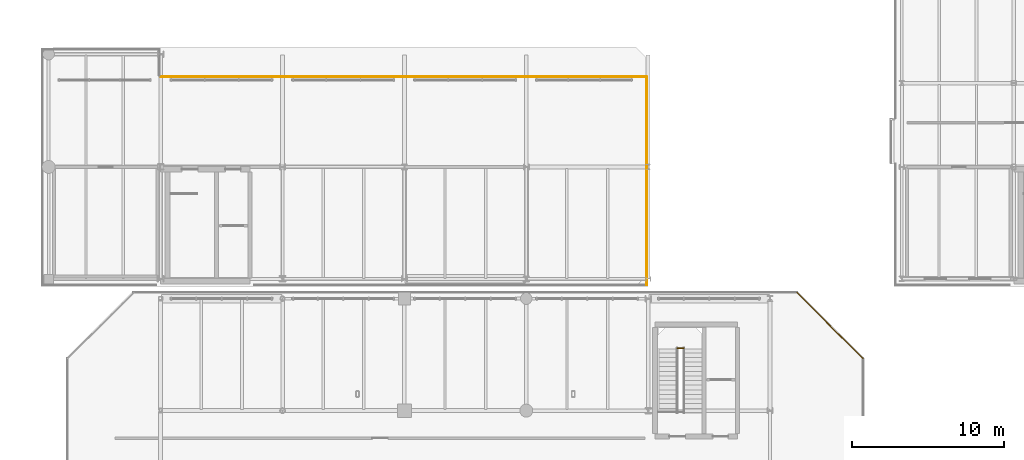
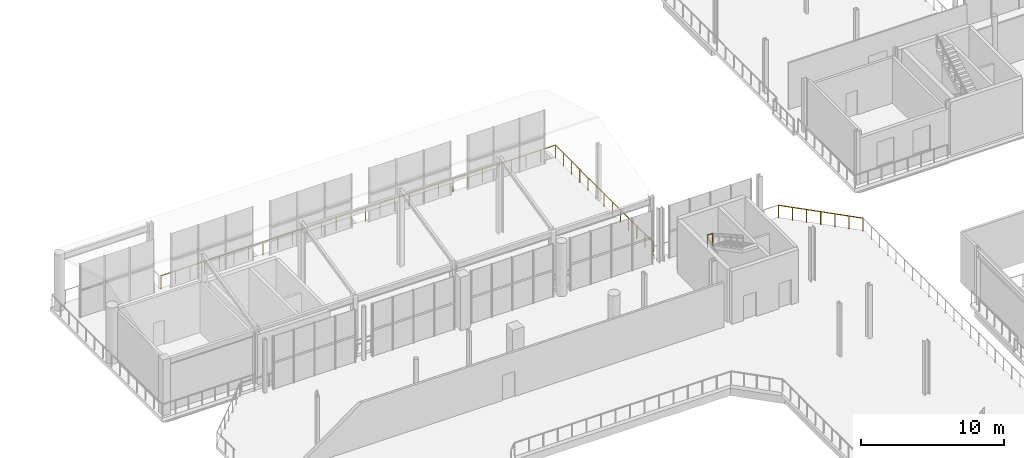
# One storey, part 66 of 70: 4 railings.
"""IFC4 building model written with IfcOpenShell, lengths in metres."""

import ifcopenshell
import ifcopenshell.guid

model = None  # the IFC model being written
_history = None  # IfcOwnerHistory: only IFC2X3 demands one
_inside = {}  # id of a spatial element -> (the spatial element, [elements in it])
_under = {}  # id of a project, library or spatial element -> (it, [spatial elements below it])
_declared = {}  # id of a project -> (the project, [libraries it declares])
_typed = {}  # id of a type object -> (the type object, [elements of that type])
_made_of = {}  # id of a material, layer set ... -> (it, [elements and type objects made of it])


def new_model(schema):
    """Start an empty IFC model of exactly this schema.

    Asked for "IFC4X3", IfcOpenShell would pick the latest addendum, in which some entities
    have other attributes; the version numbers below select the first issue.
    IFC2X3 requires an IfcOwnerHistory on every rooted entity: one is made here for all.
    """
    global model, _history
    if schema == "IFC4X3":
        model = ifcopenshell.file(schema_version=(4, 3, 0, 0))
    else:
        model = ifcopenshell.file(schema=schema)
    _inside.clear()
    _under.clear()
    _declared.clear()
    _typed.clear()
    _made_of.clear()
    _history = None
    if model.schema == "IFC2X3":
        org = make("IfcOrganization", Name="unknown")
        user = make(
            "IfcPersonAndOrganization",
            ThePerson=make("IfcPerson", FamilyName="unknown"),
            TheOrganization=org,
        )
        app = make(
            "IfcApplication",
            ApplicationDeveloper=org,
            Version="unknown",
            ApplicationFullName="unknown",
            ApplicationIdentifier="unknown",
        )
        _history = make(
            "IfcOwnerHistory",
            OwningUser=user,
            OwningApplication=app,
            ChangeAction="ADDED",
            CreationDate=0,
        )
    return model


def make(cls, **values):
    """One entity of the class cls with the attributes given. An attribute that is None is left unset."""
    return model.create_entity(
        cls, **{name: value for name, value in values.items() if value is not None}
    )


def rooted(cls, **values):
    """An entity with a GlobalId (a new one), such as an element, a storey or a relation."""
    return make(cls, GlobalId=ifcopenshell.guid.new(), OwnerHistory=_history, **values)


def si_unit(unit_type, name, prefix=None):
    """IfcSIUnit, for example si_unit("LENGTHUNIT", "METRE", prefix="MILLI")."""
    return make("IfcSIUnit", UnitType=unit_type, Prefix=prefix, Name=name)


def assignment(units):
    """IfcUnitAssignment: the units of a project."""
    return None if units is None else make("IfcUnitAssignment", Units=units)


def point(xyz):
    """IfcCartesianPoint."""
    return None if xyz is None else make("IfcCartesianPoint", Coordinates=xyz)


def direction(xyz):
    """IfcDirection."""
    return None if xyz is None else make("IfcDirection", DirectionRatios=xyz)


def frame(location, z_axis=None, x_axis=None):
    """IfcAxis2Placement3D, a coordinate frame: its origin and axes. An axis left out is left unset."""
    return make(
        "IfcAxis2Placement3D",
        Location=point(location),
        Axis=direction(z_axis),
        RefDirection=direction(x_axis),
    )


def frame_2d(location, x_axis=None):
    """IfcAxis2Placement2D, a coordinate frame in the plane: its origin and x axis."""
    return make(
        "IfcAxis2Placement2D", Location=point(location), RefDirection=direction(x_axis)
    )


def origin():
    """The frame at (0, 0, 0) with its axes left unset."""
    return frame((0.0, 0.0, 0.0))


def origin_2d():
    """The frame at (0, 0) in the plane with its x axis left unset."""
    return frame_2d((0.0, 0.0))


def place(relative_to, where):
    """IfcLocalPlacement: puts the frame where relative to a parent placement (None: the world)."""
    return make(
        "IfcLocalPlacement", PlacementRelTo=relative_to, RelativePlacement=where
    )


def context(
    kind, dimensions, precision=None, world=None, true_north=None, identifier=None
):
    """IfcGeometricRepresentationContext, for example the 3D "Model" context."""
    return make(
        "IfcGeometricRepresentationContext",
        ContextIdentifier=identifier,
        ContextType=kind,
        CoordinateSpaceDimension=dimensions,
        Precision=precision,
        WorldCoordinateSystem=world,
        TrueNorth=true_north,
    )


def subcontext(parent, identifier, kind, view, scale=None):
    """IfcGeometricRepresentationSubContext, for example "Body" below "Model"."""
    return make(
        "IfcGeometricRepresentationSubContext",
        ContextIdentifier=identifier,
        ContextType=kind,
        ParentContext=parent,
        TargetScale=scale,
        TargetView=view,
    )


def project(units=None, contexts=None):
    """IfcProject with its units and contexts."""
    return rooted(
        "IfcProject",
        Name="project",
        RepresentationContexts=contexts,
        UnitsInContext=assignment(units),
    )


def spatial(cls, under=None, at=None, **own):
    """A site, building, storey or space (cls), placed at a placement, below another one or the project."""
    s = rooted(cls, ObjectPlacement=at, **own)
    if under is not None:
        _under.setdefault(under.id(), (under, []))[1].append(s)
    return s


def profile(cls, at=None, kind="AREA", **sizes):
    """A parametric profile (cls). Its sizes go by their IFC names, for example OverallWidth=200.0."""
    return make(cls, ProfileType=kind, Position=at, **sizes)


def circle(**sizes):
    """IfcCircleProfileDef."""
    return profile("IfcCircleProfileDef", **sizes)


def extrude(swept, where, along, depth):
    """IfcExtrudedAreaSolid: the profile swept, set in the frame where, extruded along a direction by depth."""
    return make(
        "IfcExtrudedAreaSolid",
        SweptArea=swept,
        Position=where,
        ExtrudedDirection=direction(along),
        Depth=depth,
    )


def shape(context_of_items, identifier, shape_type, items):
    """IfcShapeRepresentation: the items that make up one representation, for example the "Body"."""
    return make(
        "IfcShapeRepresentation",
        ContextOfItems=context_of_items,
        RepresentationIdentifier=identifier,
        RepresentationType=shape_type,
        Items=items,
    )


def material(Name=None, Category=None):
    """IfcMaterial."""
    return make("IfcMaterial", Name=Name, Category=Category)


def made_of(thing, what):
    """Note that an element or type object is made of a material, layer set ...; save() writes the relation."""
    if what is not None:
        _made_of.setdefault(what.id(), (what, []))[1].append(thing)
    return thing


def type_object(cls, material=None, **own):
    """A type object (cls), such as IfcWallType, which elements share."""
    return made_of(rooted(cls, **own), material)


def element(
    cls,
    number,
    at=None,
    inside=None,
    cuts=None,
    type_object=None,
    material=None,
    context=None,
    identifier="Body",
    shape_type=None,
    held_by="IfcProductDefinitionShape",
    body=None,
    shapes=None,
    **own,
):
    """One element of the class cls, such as IfcWall. Its Tag is "e" and its number.

    at: its placement. inside: the storey or other place that contains it. cuts: it is an
    opening in that element (IfcRelVoidsElement). A single representation is given by context,
    identifier, shape_type and body (its items); several are given by shapes. held_by: the class
    of the entity that holds the representations. save() writes the other relations.
    """
    e = rooted(cls, Tag="e%d" % number, ObjectPlacement=at, **own)
    if body is not None:
        shapes = [shape(context, identifier, shape_type, body)]
    if shapes is not None:
        e.Representation = make(held_by, Representations=shapes)
    if inside is not None:
        _inside.setdefault(inside.id(), (inside, []))[1].append(e)
    if cuts is not None:
        rooted(
            "IfcRelVoidsElement", RelatingBuildingElement=cuts, RelatedOpeningElement=e
        )
    if type_object is not None:
        _typed.setdefault(type_object.id(), (type_object, []))[1].append(e)
    return made_of(e, material)


def aggregate(whole, parts):
    """IfcRelAggregates: a whole, such as a stair, and the parts it consists of."""
    return rooted("IfcRelAggregates", RelatingObject=whole, RelatedObjects=parts)


def save(model, path):
    """Write the relations noted so far, then the file.

    IfcRelAggregates (storeys below a building ...), IfcRelContainedInSpatialStructure (elements
    in a storey), IfcRelDefinesByType, IfcRelAssociatesMaterial and IfcRelDeclares: one each for
    every whole, place, type object, material and project.
    """
    for whole, parts in _under.values():
        aggregate(whole, parts)
    for where, things in _inside.values():
        rooted(
            "IfcRelContainedInSpatialStructure",
            RelatedElements=things,
            RelatingStructure=where,
        )
    for kind, things in _typed.values():
        rooted("IfcRelDefinesByType", RelatedObjects=things, RelatingType=kind)
    for what, things in _made_of.values():
        rooted("IfcRelAssociatesMaterial", RelatedObjects=things, RelatingMaterial=what)
    for by, libraries in _declared.values():
        rooted("IfcRelDeclares", RelatingContext=by, RelatedDefinitions=libraries)
    model.write(path)


model = new_model("IFC4")

# Units and contexts
model_context = context("Model", 3, precision=1e-05, world=origin(), true_north=direction((0.0, 1.0)))
body_context = subcontext(model_context, "Body", "Model", "MODEL_VIEW")
ifc_project = project(units=[si_unit("LENGTHUNIT", "METRE"), si_unit("AREAUNIT", "SQUARE_METRE"), si_unit("VOLUMEUNIT", "CUBIC_METRE"), si_unit("PLANEANGLEUNIT", "RADIAN"), si_unit("MASSUNIT", "GRAM", prefix="KILO")], contexts=[model_context])

# Site, building, storey
site_placement = place(None, origin())
site = spatial("IfcSite", under=ifc_project, at=site_placement, CompositionType="ELEMENT")
building_placement = place(site_placement, origin())
building = spatial("IfcBuilding", under=site, at=building_placement, Name="Brisemont Oceanarium", CompositionType="ELEMENT")
storey_placement = place(building_placement, frame((0.0, 0.0, 10.199951171875)))
storey = spatial("IfcBuildingStorey", under=building, at=storey_placement, Name="L02", CompositionType="ELEMENT", Elevation=10.199951171875)

# Railings
ifc_material = material(Name="Duplex Stainless Steel EN 1.4462", Category="steel")
railing_type = type_object("IfcRailingType", Name="RLG-GUARD-1120", PredefinedType="GUARDRAIL", material=ifc_material)
railing_1_placement = place(storey_placement, frame((97.909912109375, 76.10009765625, 2.400146484375)))
element("IfcRailing", 1, at=railing_1_placement, inside=storey, type_object=railing_type, Name="ST-02 L02 landing slot guard", PredefinedType="GUARDRAIL", context=body_context, shape_type="SweptSolid", body=[
    extrude(circle(Radius=0.02392578125, at=origin_2d()), frame((0.0, 0.0, 1.09619140625), z_axis=(1.0, 0.0, 0.0), x_axis=(0.0, 1.0, 0.0)), (0.0, 0.0, 1.0), 0.440185546875),
    extrude(circle(Radius=0.02099609375, at=origin_2d()), origin(), (0.0, 0.0, 1.0), 1.072021484375),
    extrude(circle(Radius=0.02099609375, at=origin_2d()), frame((0.440185546875, 0.0, 0.0)), (0.0, 0.0, 1.0), 1.072021484375),
])
railing_2_placement = place(storey_placement, frame((105.7626953125, 79.760009765625, 0.0)))
element("IfcRailing", 2, at=railing_2_placement, inside=storey, type_object=railing_type, Name="L02 slab perimeter safety guard 139", PredefinedType="GUARDRAIL", context=body_context, shape_type="SweptSolid", body=[
    extrude(circle(Radius=0.02392578125, at=origin_2d()), frame((0.0, 0.0, 1.09619140625), z_axis=(0.707106781187, -0.707106781187, 0.0), x_axis=(0.707106781187, 0.707106781187, 0.0)), (0.0, 0.0, 1.0), 6.148193359375),
    extrude(circle(Radius=0.02099609375, at=origin_2d()), origin(), (0.0, 0.0, 1.0), 1.072021484375),
    extrude(circle(Radius=0.02099609375, at=origin_2d()), frame((0.724609375, -0.724609375, 0.0)), (0.0, 0.0, 1.0), 1.072021484375),
    extrude(circle(Radius=0.02099609375, at=origin_2d()), frame((1.44921875, -1.44921875, 0.0)), (0.0, 0.0, 1.0), 1.072021484375),
    extrude(circle(Radius=0.02099609375, at=origin_2d()), frame((2.173828125, -2.173828125, 0.0)), (0.0, 0.0, 1.0), 1.072021484375),
    extrude(circle(Radius=0.02099609375, at=origin_2d()), frame((2.898193359375, -2.898193359375, 0.0)), (0.0, 0.0, 1.0), 1.072021484375),
    extrude(circle(Radius=0.02099609375, at=origin_2d()), frame((3.622802734375, -3.622802734375, 0.0)), (0.0, 0.0, 1.0), 1.072021484375),
    extrude(circle(Radius=0.02099609375, at=origin_2d()), frame((4.347412109375, -4.347412109375, 0.0)), (0.0, 0.0, 1.0), 1.072021484375),
])
railing_3_placement = place(storey_placement, frame((64.015625, 93.91015625, 0.0)))
element("IfcRailing", 3, at=railing_3_placement, inside=storey, type_object=railing_type, Name="L02 slab perimeter safety guard 156", PredefinedType="GUARDRAIL", context=body_context, shape_type="SweptSolid", body=[
    extrude(circle(Radius=0.02392578125, at=origin_2d()), frame((0.0, 0.0, 1.09619140625), z_axis=(0.999999999971, -7.654799e-06, 0.0), x_axis=(7.654799e-06, 0.999999999971, 0.0)), (0.0, 0.0, 1.0), 31.893798828125),
    extrude(circle(Radius=0.02099609375, at=origin_2d()), origin(), (0.0, 0.0, 1.0), 1.072021484375),
    extrude(circle(Radius=0.02099609375, at=origin_2d()), frame((1.18115234375, 0.0, 0.0)), (0.0, 0.0, 1.0), 1.072021484375),
    extrude(circle(Radius=0.02099609375, at=origin_2d()), frame((2.362548828125, 0.0, 0.0)), (0.0, 0.0, 1.0), 1.072021484375),
    extrude(circle(Radius=0.02099609375, at=origin_2d()), frame((3.543701171875, 0.0, 0.0)), (0.0, 0.0, 1.0), 1.072021484375),
    extrude(circle(Radius=0.02099609375, at=origin_2d()), frame((4.72509765625, 0.0, 0.0)), (0.0, 0.0, 1.0), 1.072021484375),
    extrude(circle(Radius=0.02099609375, at=origin_2d()), frame((5.90625, 0.0, 0.0)), (0.0, 0.0, 1.0), 1.072021484375),
    extrude(circle(Radius=0.02099609375, at=origin_2d()), frame((7.08740234375, 0.0, 0.0)), (0.0, 0.0, 1.0), 1.072021484375),
    extrude(circle(Radius=0.02099609375, at=origin_2d()), frame((8.268798828125, 0.0, 0.0)), (0.0, 0.0, 1.0), 1.072021484375),
    extrude(circle(Radius=0.02099609375, at=origin_2d()), frame((9.449951171875, 0.0, 0.0)), (0.0, 0.0, 1.0), 1.072021484375),
    extrude(circle(Radius=0.02099609375, at=origin_2d()), frame((10.63134765625, 0.0, 0.0)), (0.0, 0.0, 1.0), 1.072021484375),
    extrude(circle(Radius=0.02099609375, at=origin_2d()), frame((11.8125, 0.0, 0.0)), (0.0, 0.0, 1.0), 1.072021484375),
    extrude(circle(Radius=0.02099609375, at=origin_2d()), frame((12.99365234375, 0.0, 0.0)), (0.0, 0.0, 1.0), 1.072021484375),
    extrude(circle(Radius=0.02099609375, at=origin_2d()), frame((14.175048828125, 0.0, 0.0)), (0.0, 0.0, 1.0), 1.072021484375),
    extrude(circle(Radius=0.02099609375, at=origin_2d()), frame((15.356201171875, 0.0, 0.0)), (0.0, 0.0, 1.0), 1.072021484375),
    extrude(circle(Radius=0.02099609375, at=origin_2d()), frame((16.53759765625, -0.000244140625, 0.0)), (0.0, 0.0, 1.0), 1.072021484375),
    extrude(circle(Radius=0.02099609375, at=origin_2d()), frame((17.71875, -0.000244140625, 0.0)), (0.0, 0.0, 1.0), 1.072021484375),
    extrude(circle(Radius=0.02099609375, at=origin_2d()), frame((18.900146484375, -0.000244140625, 0.0)), (0.0, 0.0, 1.0), 1.072021484375),
    extrude(circle(Radius=0.02099609375, at=origin_2d()), frame((20.081298828125, -0.000244140625, 0.0)), (0.0, 0.0, 1.0), 1.072021484375),
    extrude(circle(Radius=0.02099609375, at=origin_2d()), frame((21.262451171875, -0.000244140625, 0.0)), (0.0, 0.0, 1.0), 1.072021484375),
    extrude(circle(Radius=0.02099609375, at=origin_2d()), frame((22.44384765625, -0.000244140625, 0.0)), (0.0, 0.0, 1.0), 1.072021484375),
    extrude(circle(Radius=0.02099609375, at=origin_2d()), frame((23.625, -0.000244140625, 0.0)), (0.0, 0.0, 1.0), 1.072021484375),
    extrude(circle(Radius=0.02099609375, at=origin_2d()), frame((24.806396484375, -0.000244140625, 0.0)), (0.0, 0.0, 1.0), 1.072021484375),
    extrude(circle(Radius=0.02099609375, at=origin_2d()), frame((25.987548828125, -0.000244140625, 0.0)), (0.0, 0.0, 1.0), 1.072021484375),
    extrude(circle(Radius=0.02099609375, at=origin_2d()), frame((27.168701171875, -0.000244140625, 0.0)), (0.0, 0.0, 1.0), 1.072021484375),
    extrude(circle(Radius=0.02099609375, at=origin_2d()), frame((28.35009765625, -0.000244140625, 0.0)), (0.0, 0.0, 1.0), 1.072021484375),
    extrude(circle(Radius=0.02099609375, at=origin_2d()), frame((29.53125, -0.000244140625, 0.0)), (0.0, 0.0, 1.0), 1.072021484375),
    extrude(circle(Radius=0.02099609375, at=origin_2d()), frame((30.712646484375, -0.000244140625, 0.0)), (0.0, 0.0, 1.0), 1.072021484375),
    extrude(circle(Radius=0.02099609375, at=origin_2d()), frame((31.893798828125, -0.000244140625, 0.0)), (0.0, 0.0, 1.0), 1.072021484375),
])
railing_4_placement = place(storey_placement, frame((95.909423828125, 93.909912109375, 0.0)))
element("IfcRailing", 4, at=railing_4_placement, inside=storey, type_object=railing_type, Name="L02 slab perimeter safety guard 157", PredefinedType="GUARDRAIL", context=body_context, shape_type="SweptSolid", body=[
    extrude(circle(Radius=0.02392578125, at=origin_2d()), frame((0.0, 0.0, 1.09619140625), z_axis=(3.5720664e-05, -0.999999999362, 0.0), x_axis=(0.999999999362, 3.5720664e-05, 0.0)), (0.0, 0.0, 1.0), 13.66943359375),
    extrude(circle(Radius=0.02099609375, at=origin_2d()), origin(), (0.0, 0.0, 1.0), 1.072021484375),
    extrude(circle(Radius=0.02099609375, at=origin_2d()), frame((0.0, -1.13916015625, 0.0)), (0.0, 0.0, 1.0), 1.072021484375),
    extrude(circle(Radius=0.02099609375, at=origin_2d()), frame((0.0, -2.2783203125, 0.0)), (0.0, 0.0, 1.0), 1.072021484375),
    extrude(circle(Radius=0.02099609375, at=origin_2d()), frame((0.0, -3.41748046875, 0.0)), (0.0, 0.0, 1.0), 1.072021484375),
    extrude(circle(Radius=0.02099609375, at=origin_2d()), frame((0.000244140625, -4.556396484375, 0.0)), (0.0, 0.0, 1.0), 1.072021484375),
    extrude(circle(Radius=0.02099609375, at=origin_2d()), frame((0.000244140625, -5.695556640625, 0.0)), (0.0, 0.0, 1.0), 1.072021484375),
    extrude(circle(Radius=0.02099609375, at=origin_2d()), frame((0.000244140625, -6.834716796875, 0.0)), (0.0, 0.0, 1.0), 1.072021484375),
    extrude(circle(Radius=0.02099609375, at=origin_2d()), frame((0.000244140625, -7.973876953125, 0.0)), (0.0, 0.0, 1.0), 1.072021484375),
    extrude(circle(Radius=0.02099609375, at=origin_2d()), frame((0.000244140625, -9.113037109375, 0.0)), (0.0, 0.0, 1.0), 1.072021484375),
    extrude(circle(Radius=0.02099609375, at=origin_2d()), frame((0.00048828125, -10.251953125, 0.0)), (0.0, 0.0, 1.0), 1.072021484375),
    extrude(circle(Radius=0.02099609375, at=origin_2d()), frame((0.00048828125, -11.39111328125, 0.0)), (0.0, 0.0, 1.0), 1.072021484375),
    extrude(circle(Radius=0.02099609375, at=origin_2d()), frame((0.00048828125, -12.5302734375, 0.0)), (0.0, 0.0, 1.0), 1.072021484375),
    extrude(circle(Radius=0.02099609375, at=origin_2d()), frame((0.00048828125, -13.66943359375, 0.0)), (0.0, 0.0, 1.0), 1.072021484375),
])

save(model, "model.ifc")
